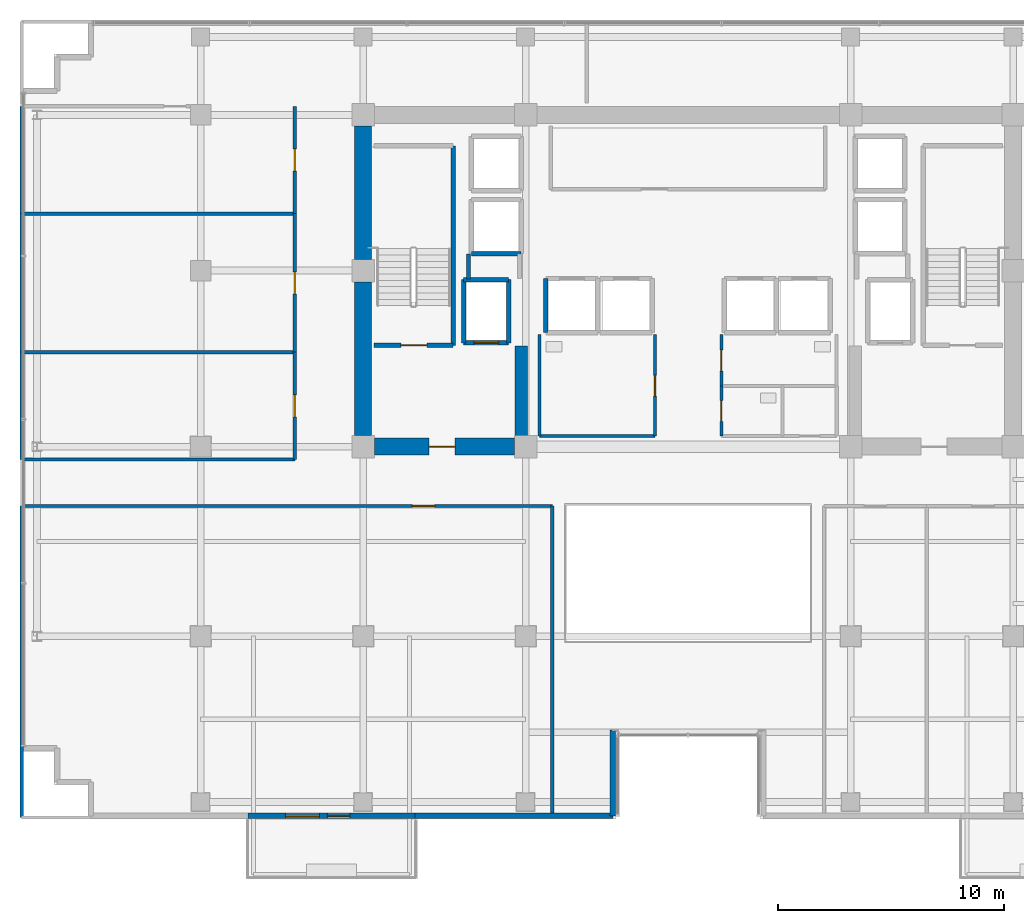
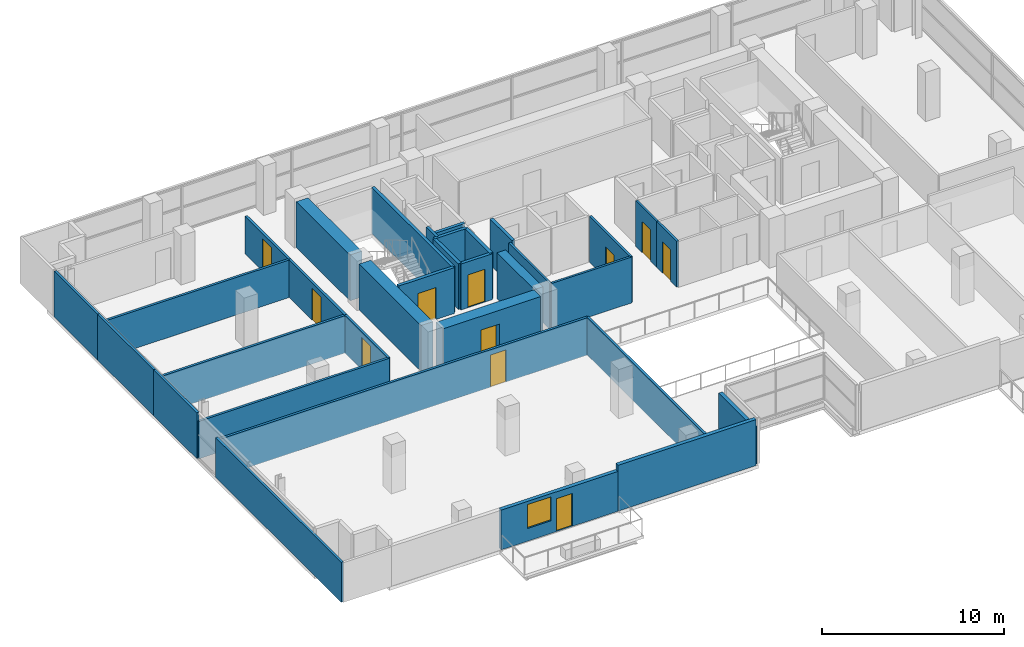
# One storey, part 19 of 27: 33 walls, 11 doors, 1 window, 12 openings.
"""IFC4 building model written with IfcOpenShell, lengths in metres."""

import ifcopenshell
import ifcopenshell.guid

model = None  # the IFC model being written
_history = None  # IfcOwnerHistory: only IFC2X3 demands one
_inside = {}  # id of a spatial element -> (the spatial element, [elements in it])
_under = {}  # id of a project, library or spatial element -> (it, [spatial elements below it])
_declared = {}  # id of a project -> (the project, [libraries it declares])
_typed = {}  # id of a type object -> (the type object, [elements of that type])
_made_of = {}  # id of a material, layer set ... -> (it, [elements and type objects made of it])


def new_model(schema):
    """Start an empty IFC model of exactly this schema.

    Asked for "IFC4X3", IfcOpenShell would pick the latest addendum, in which some entities
    have other attributes; the version numbers below select the first issue.
    IFC2X3 requires an IfcOwnerHistory on every rooted entity: one is made here for all.
    """
    global model, _history
    if schema == "IFC4X3":
        model = ifcopenshell.file(schema_version=(4, 3, 0, 0))
    else:
        model = ifcopenshell.file(schema=schema)
    _inside.clear()
    _under.clear()
    _declared.clear()
    _typed.clear()
    _made_of.clear()
    _history = None
    if model.schema == "IFC2X3":
        org = make("IfcOrganization", Name="unknown")
        user = make(
            "IfcPersonAndOrganization",
            ThePerson=make("IfcPerson", FamilyName="unknown"),
            TheOrganization=org,
        )
        app = make(
            "IfcApplication",
            ApplicationDeveloper=org,
            Version="unknown",
            ApplicationFullName="unknown",
            ApplicationIdentifier="unknown",
        )
        _history = make(
            "IfcOwnerHistory",
            OwningUser=user,
            OwningApplication=app,
            ChangeAction="ADDED",
            CreationDate=0,
        )
    return model


def make(cls, **values):
    """One entity of the class cls with the attributes given. An attribute that is None is left unset."""
    return model.create_entity(
        cls, **{name: value for name, value in values.items() if value is not None}
    )


def rooted(cls, **values):
    """An entity with a GlobalId (a new one), such as an element, a storey or a relation."""
    return make(cls, GlobalId=ifcopenshell.guid.new(), OwnerHistory=_history, **values)


def si_unit(unit_type, name, prefix=None):
    """IfcSIUnit, for example si_unit("LENGTHUNIT", "METRE", prefix="MILLI")."""
    return make("IfcSIUnit", UnitType=unit_type, Prefix=prefix, Name=name)


def assignment(units):
    """IfcUnitAssignment: the units of a project."""
    return None if units is None else make("IfcUnitAssignment", Units=units)


def point(xyz):
    """IfcCartesianPoint."""
    return None if xyz is None else make("IfcCartesianPoint", Coordinates=xyz)


def direction(xyz):
    """IfcDirection."""
    return None if xyz is None else make("IfcDirection", DirectionRatios=xyz)


def frame(location, z_axis=None, x_axis=None):
    """IfcAxis2Placement3D, a coordinate frame: its origin and axes. An axis left out is left unset."""
    return make(
        "IfcAxis2Placement3D",
        Location=point(location),
        Axis=direction(z_axis),
        RefDirection=direction(x_axis),
    )


def frame_2d(location, x_axis=None):
    """IfcAxis2Placement2D, a coordinate frame in the plane: its origin and x axis."""
    return make(
        "IfcAxis2Placement2D", Location=point(location), RefDirection=direction(x_axis)
    )


def origin():
    """The frame at (0, 0, 0) with its axes left unset."""
    return frame((0.0, 0.0, 0.0))


def place(relative_to, where):
    """IfcLocalPlacement: puts the frame where relative to a parent placement (None: the world)."""
    return make(
        "IfcLocalPlacement", PlacementRelTo=relative_to, RelativePlacement=where
    )


def context(
    kind, dimensions, precision=None, world=None, true_north=None, identifier=None
):
    """IfcGeometricRepresentationContext, for example the 3D "Model" context."""
    return make(
        "IfcGeometricRepresentationContext",
        ContextIdentifier=identifier,
        ContextType=kind,
        CoordinateSpaceDimension=dimensions,
        Precision=precision,
        WorldCoordinateSystem=world,
        TrueNorth=true_north,
    )


def subcontext(parent, identifier, kind, view, scale=None):
    """IfcGeometricRepresentationSubContext, for example "Body" below "Model"."""
    return make(
        "IfcGeometricRepresentationSubContext",
        ContextIdentifier=identifier,
        ContextType=kind,
        ParentContext=parent,
        TargetScale=scale,
        TargetView=view,
    )


def project(units=None, contexts=None):
    """IfcProject with its units and contexts."""
    return rooted(
        "IfcProject",
        Name="project",
        RepresentationContexts=contexts,
        UnitsInContext=assignment(units),
    )


def spatial(cls, under=None, at=None, **own):
    """A site, building, storey or space (cls), placed at a placement, below another one or the project."""
    s = rooted(cls, ObjectPlacement=at, **own)
    if under is not None:
        _under.setdefault(under.id(), (under, []))[1].append(s)
    return s


def profile(cls, at=None, kind="AREA", **sizes):
    """A parametric profile (cls). Its sizes go by their IFC names, for example OverallWidth=200.0."""
    return make(cls, ProfileType=kind, Position=at, **sizes)


def rectangle(**sizes):
    """IfcRectangleProfileDef."""
    return profile("IfcRectangleProfileDef", **sizes)


def extrude(swept, where, along, depth):
    """IfcExtrudedAreaSolid: the profile swept, set in the frame where, extruded along a direction by depth."""
    return make(
        "IfcExtrudedAreaSolid",
        SweptArea=swept,
        Position=where,
        ExtrudedDirection=direction(along),
        Depth=depth,
    )


def shape(context_of_items, identifier, shape_type, items):
    """IfcShapeRepresentation: the items that make up one representation, for example the "Body"."""
    return make(
        "IfcShapeRepresentation",
        ContextOfItems=context_of_items,
        RepresentationIdentifier=identifier,
        RepresentationType=shape_type,
        Items=items,
    )


def source(mapping_origin, context_of_items, identifier, shape_type, items):
    """IfcRepresentationMap: a shape defined once, which mapped items show again and again."""
    return make(
        "IfcRepresentationMap",
        MappingOrigin=mapping_origin,
        MappedRepresentation=shape(context_of_items, identifier, shape_type, items),
    )


def transform(
    local_origin,
    x_axis=None,
    y_axis=None,
    z_axis=None,
    scale=None,
    scale2=None,
    scale3=None,
    uniform=True,
):
    """IfcCartesianTransformationOperator3D, or its non-uniform kind. x_axis, y_axis, z_axis: its Axis1, 2, 3."""
    if uniform:
        return make(
            "IfcCartesianTransformationOperator3D",
            Axis1=direction(x_axis),
            Axis2=direction(y_axis),
            LocalOrigin=point(local_origin),
            Scale=scale,
            Axis3=direction(z_axis),
        )
    return make(
        "IfcCartesianTransformationOperator3DnonUniform",
        Axis1=direction(x_axis),
        Axis2=direction(y_axis),
        LocalOrigin=point(local_origin),
        Scale=scale,
        Axis3=direction(z_axis),
        Scale2=scale2,
        Scale3=scale3,
    )


def mapped(mapping_source, mapping_target):
    """IfcMappedItem: shows the shape of a source again, moved by a transform."""
    return make(
        "IfcMappedItem", MappingSource=mapping_source, MappingTarget=mapping_target
    )


def material(Name=None, Category=None):
    """IfcMaterial."""
    return make("IfcMaterial", Name=Name, Category=Category)


def layer(
    of_material, thickness, ventilated=None, Name=None, Category=None, Priority=None
):
    """IfcMaterialLayer: one layer of a wall or slab, of a material (None: an air gap)."""
    return make(
        "IfcMaterialLayer",
        Material=of_material,
        LayerThickness=thickness,
        IsVentilated=ventilated,
        Name=Name,
        Category=Category,
        Priority=Priority,
    )


def layer_set(layers, Name=None):
    """IfcMaterialLayerSet."""
    return make("IfcMaterialLayerSet", MaterialLayers=layers, LayerSetName=Name)


def made_of(thing, what):
    """Note that an element or type object is made of a material, layer set ...; save() writes the relation."""
    if what is not None:
        _made_of.setdefault(what.id(), (what, []))[1].append(thing)
    return thing


def type_object(cls, material=None, **own):
    """A type object (cls), such as IfcWallType, which elements share."""
    return made_of(rooted(cls, **own), material)


def element(
    cls,
    number,
    at=None,
    inside=None,
    cuts=None,
    type_object=None,
    material=None,
    context=None,
    identifier="Body",
    shape_type=None,
    held_by="IfcProductDefinitionShape",
    body=None,
    shapes=None,
    **own,
):
    """One element of the class cls, such as IfcWall. Its Tag is "e" and its number.

    at: its placement. inside: the storey or other place that contains it. cuts: it is an
    opening in that element (IfcRelVoidsElement). A single representation is given by context,
    identifier, shape_type and body (its items); several are given by shapes. held_by: the class
    of the entity that holds the representations. save() writes the other relations.
    """
    e = rooted(cls, Tag="e%d" % number, ObjectPlacement=at, **own)
    if body is not None:
        shapes = [shape(context, identifier, shape_type, body)]
    if shapes is not None:
        e.Representation = make(held_by, Representations=shapes)
    if inside is not None:
        _inside.setdefault(inside.id(), (inside, []))[1].append(e)
    if cuts is not None:
        rooted(
            "IfcRelVoidsElement", RelatingBuildingElement=cuts, RelatedOpeningElement=e
        )
    if type_object is not None:
        _typed.setdefault(type_object.id(), (type_object, []))[1].append(e)
    return made_of(e, material)


def fill(opening, filler):
    """IfcRelFillsElement: the door or window that sits in an opening."""
    return rooted(
        "IfcRelFillsElement",
        RelatingOpeningElement=opening,
        RelatedBuildingElement=filler,
    )


def aggregate(whole, parts):
    """IfcRelAggregates: a whole, such as a stair, and the parts it consists of."""
    return rooted("IfcRelAggregates", RelatingObject=whole, RelatedObjects=parts)


def save(model, path):
    """Write the relations noted so far, then the file.

    IfcRelAggregates (storeys below a building ...), IfcRelContainedInSpatialStructure (elements
    in a storey), IfcRelDefinesByType, IfcRelAssociatesMaterial and IfcRelDeclares: one each for
    every whole, place, type object, material and project.
    """
    for whole, parts in _under.values():
        aggregate(whole, parts)
    for where, things in _inside.values():
        rooted(
            "IfcRelContainedInSpatialStructure",
            RelatedElements=things,
            RelatingStructure=where,
        )
    for kind, things in _typed.values():
        rooted("IfcRelDefinesByType", RelatedObjects=things, RelatingType=kind)
    for what, things in _made_of.values():
        rooted("IfcRelAssociatesMaterial", RelatedObjects=things, RelatingMaterial=what)
    for by, libraries in _declared.values():
        rooted("IfcRelDeclares", RelatingContext=by, RelatedDefinitions=libraries)
    model.write(path)


model = new_model("IFC4")

# Units and contexts
model_context = context("Model", 3, precision=1e-05, world=origin(), true_north=direction((0.0, 1.0)))
body_context = subcontext(model_context, "Body", "Model", "MODEL_VIEW")
ifc_project = project(units=[si_unit("LENGTHUNIT", "METRE"), si_unit("AREAUNIT", "SQUARE_METRE"), si_unit("VOLUMEUNIT", "CUBIC_METRE"), si_unit("PLANEANGLEUNIT", "RADIAN"), si_unit("MASSUNIT", "GRAM", prefix="KILO")], contexts=[model_context])

# Site, building, storey
site_placement = place(None, origin())
site = spatial("IfcSite", under=ifc_project, at=site_placement, CompositionType="ELEMENT")
building_placement = place(site_placement, origin())
building = spatial("IfcBuilding", under=site, at=building_placement, Name="Zarnakvel Exchange Tower", CompositionType="ELEMENT")
storey_placement = place(building_placement, frame((0.0, 0.0, 106.60009765625)))
storey = spatial("IfcBuildingStorey", under=building, at=storey_placement, Name="L29", CompositionType="ELEMENT", Elevation=106.60009765625)

# Walls
ifc_material_1 = material(Name="Concrete C60/75", Category="concrete")
ifc_layer_1 = layer(ifc_material_1, 0.75)
ifc_layer_set_1 = layer_set([ifc_layer_1], Name="Concrete C60/75")
wall_type_1 = type_object("IfcWallType", Name="CW-C3", PredefinedType="SHEAR", material=ifc_layer_set_1)
wall_1_placement = place(storey_placement, frame((-14.39990234375, -0.699951171875, 0.0), z_axis=(0.0, 0.0, 1.0), x_axis=(0.0, 1.0, 0.0)))
element("IfcWall", 1, at=wall_1_placement, inside=storey, type_object=wall_type_1, Name="L29 Rear Core Shear Wall W1 (CW-C3)", PredefinedType="SHEAR", context=body_context, shape_type="SweptSolid", body=[
    extrude(rectangle(XDim=6.800048828125, YDim=0.75, at=frame_2d((3.39990234375, 0.0))), origin(), (0.0, 0.0, 1.0), 3.074951171875),
])
wall_2_placement = place(storey_placement, frame((-14.39990234375, 7.10009765625, 0.0), z_axis=(0.0, 0.0, 1.0), x_axis=(0.0, 1.0, 0.0)))
element("IfcWall", 2, at=wall_2_placement, inside=storey, type_object=wall_type_1, Name="L29 Rear Core Shear Wall W2 (CW-C3)", PredefinedType="SHEAR", context=body_context, shape_type="SweptSolid", body=[
    extrude(rectangle(XDim=5.89990234375, YDim=0.75, at=frame_2d((2.949951171875, 0.0))), origin(), (0.0, 0.0, 1.0), 3.074951171875),
])

# Wall, opening, door
wall_3_placement = place(storey_placement, frame((-7.699951171875, -1.199951171875, 0.0), z_axis=(0.0, 0.0, 1.0), x_axis=(-1.0, 0.0, 0.0)))
wall_3 = element("IfcWall", 3, at=wall_3_placement, inside=storey, type_object=wall_type_1, Name="L29 Rear Core Shear Wall SW (CW-C3)", PredefinedType="SHEAR", context=body_context, shape_type="SweptSolid", body=[
    extrude(rectangle(XDim=6.199951171875, YDim=0.75, at=frame_2d((3.10009765625, 0.0))), origin(), (0.0, 0.0, 1.0), 3.074951171875),
])
opening_1_placement = place(wall_3_placement, frame((2.625, 0.0, 0.0)))
opening_1 = element("IfcOpeningElement", 4, at=opening_1_placement, cuts=wall_3, Name="Opening D-L29-03", PredefinedType="OPENING", context=body_context, shape_type="SweptSolid", body=[
    extrude(rectangle(XDim=1.14990234375, YDim=2.14990234375, at=frame_2d((0.574951171875, 1.074951171875))), frame((0.0, 0.385009765625, 0.0), z_axis=(0.0, -1.0, 0.0), x_axis=(1.0, 0.0, 0.0)), (0.0, 0.0, 1.0), 0.77001953125),
])
ifc_material_2 = material(Name="Painted Galvanised Steel S355", Category="steel")
door_type_1 = type_object("IfcDoorType", Name="DT-04", OperationType="NOTDEFINED", PredefinedType="DOOR", material=ifc_material_2)
shared_shape_1 = source(origin(), body_context, "Body", "SweptSolid", [
    extrude(rectangle(XDim=1.14990234375, YDim=2.14990234375, at=frame_2d((0.574951171875, 1.074951171875))), frame((0.0, 0.02490234375, 0.0), z_axis=(0.0, -1.0, 0.0), x_axis=(1.0, 0.0, 0.0)), (0.0, 0.0, 1.0), 0.050048828125),
])
door_1_placement = place(opening_1_placement, origin())
door_1 = element("IfcDoor", 5, at=door_1_placement, inside=storey, type_object=door_type_1, Name="L29 Firefighting Lobby West Door D-L29-03", OperationType="SINGLE_SWING_LEFT", OverallHeight=2.14990234375, OverallWidth=1.14990234375, PredefinedType="DOOR", context=body_context, shape_type="MappedRepresentation", body=[
    mapped(shared_shape_1, transform((0.0, 0.0, 0.0), x_axis=(1.0, 0.0, 0.0), y_axis=(0.0, 1.0, 0.0), z_axis=(0.0, 0.0, 1.0), scale=1.0)),
])
fill(opening_1, door_1)

# Wall
ifc_layer_2 = layer(ifc_material_1, 0.550048828125)
ifc_layer_set_2 = layer_set([ifc_layer_2], Name="Concrete C60/75")
wall_type_2 = type_object("IfcWallType", Name="CW-C4", PredefinedType="SHEAR", material=ifc_layer_set_2)
wall_4_placement = place(storey_placement, frame((-7.39990234375, -0.824951171875, 0.0), z_axis=(0.0, 0.0, 1.0), x_axis=(0.0, 1.0, 0.0)))
element("IfcWall", 6, at=wall_4_placement, inside=storey, type_object=wall_type_2, Name="L29 Rear Core Shear Wall IW (CW-C4)", PredefinedType="SHEAR", context=body_context, shape_type="SweptSolid", body=[
    extrude(rectangle(XDim=4.074951171875, YDim=0.550048828125, at=frame_2d((2.03759765625, 0.0))), origin(), (0.0, 0.0, 1.0), 3.074951171875),
])

# Wall, openings, door, window
ifc_material_3 = material(Name="Precast concrete C40/50", Category="concrete")
ifc_layer_3 = layer(ifc_material_3, 0.239990234375)
ifc_layer_set_3 = layer_set([ifc_layer_3], Name="Precast concrete C40/50")
wall_type_3 = type_object("IfcWallType", Name="EW-02", PredefinedType="SOLIDWALL", material=ifc_layer_set_3)
wall_5_placement = place(storey_placement, frame((-12.10009765625, -17.56005859375, 0.0), z_axis=(0.0, 0.0, 1.0), x_axis=(-1.0, 0.0, 0.0)))
wall_5 = element("IfcWall", 7, at=wall_5_placement, inside=storey, type_object=wall_type_3, Name="L29 Exterior Precast Spandrel Wall EW-BAL-L29-SW (EW-02)", PredefinedType="SOLIDWALL", context=body_context, shape_type="SweptSolid", body=[
    extrude(rectangle(XDim=7.39990234375, YDim=0.239990234375, at=frame_2d((3.699951171875, 0.0))), origin(), (0.0, 0.0, 1.0), 2.664794921875),
])
opening_2_placement = place(wall_5_placement, frame((2.885986328125, 0.0, 0.0)))
opening_2 = element("IfcOpeningElement", 8, at=opening_2_placement, cuts=wall_5, Name="Opening BD-L29-01", PredefinedType="OPENING", context=body_context, shape_type="SweptSolid", body=[
    extrude(rectangle(XDim=1.0, YDim=2.199951171875, at=frame_2d((0.5, 1.10009765625))), frame((0.0, 0.1298828125, 0.0), z_axis=(0.0, -1.0, 0.0), x_axis=(1.0, 0.0, 0.0)), (0.0, 0.0, 1.0), 0.260009765625),
])
opening_3_placement = place(wall_5_placement, frame((4.236083984375, 0.0, 0.85009765625)))
opening_3 = element("IfcOpeningElement", 9, at=opening_3_placement, cuts=wall_5, Name="Opening WN-03", PredefinedType="OPENING", context=body_context, shape_type="SweptSolid", body=[
    extrude(rectangle(XDim=1.5, YDim=1.60009765625, at=frame_2d((0.75, 0.800048828125))), frame((0.0, 0.1298828125, 0.0), z_axis=(0.0, -1.0, 0.0), x_axis=(1.0, 0.0, 0.0)), (0.0, 0.0, 1.0), 0.260009765625),
])
ifc_material_4 = material(Name="Architectural Bronze Anodised Aluminium", Category="aluminium")
door_type_2 = type_object("IfcDoorType", Name="DT-09", OperationType="NOTDEFINED", PredefinedType="DOOR", material=ifc_material_4)
shared_shape_2 = source(origin(), body_context, "Body", "SweptSolid", [
    extrude(rectangle(XDim=1.0, YDim=2.199951171875, at=frame_2d((0.5, 1.10009765625))), frame((0.0, 0.02490234375, 0.0), z_axis=(0.0, -1.0, 0.0), x_axis=(1.0, 0.0, 0.0)), (0.0, 0.0, 1.0), 0.050048828125),
])
door_2_placement = place(opening_2_placement, origin())
door_2 = element("IfcDoor", 10, at=door_2_placement, inside=storey, type_object=door_type_2, Name="L29 Planted Loggia Balcony Door BD-L29-01", OperationType="SINGLE_SWING_LEFT", OverallHeight=2.199951171875, OverallWidth=1.0, PredefinedType="DOOR", context=body_context, shape_type="MappedRepresentation", body=[
    mapped(shared_shape_2, transform((0.0, 0.0, 0.0), x_axis=(1.0, 0.0, 0.0), y_axis=(0.0, 1.0, 0.0), z_axis=(0.0, 0.0, 1.0), scale=1.0)),
])
fill(opening_2, door_2)
ifc_material_5 = material(Name="Double Low-E Laminated Vision Glass", Category="glass")
window_type = type_object("IfcWindowType", Name="WN-03", PartitioningType="SINGLE_PANEL", PredefinedType="WINDOW", material=ifc_material_5)
shared_shape_3 = source(origin(), body_context, "Body", "SweptSolid", [
    extrude(rectangle(XDim=1.5, YDim=1.60009765625, at=frame_2d((0.75, 0.800048828125))), frame((0.0, 0.030029296875, 0.0), z_axis=(0.0, -1.0, 0.0), x_axis=(1.0, 0.0, 0.0)), (0.0, 0.0, 1.0), 0.06005859375),
])
window_placement = place(opening_3_placement, origin())
window = element("IfcWindow", 11, at=window_placement, inside=storey, type_object=window_type, Name="L29 Loggia Daylight Window (WN-03)", OverallHeight=1.60009765625, OverallWidth=1.5, PartitioningType="SINGLE_PANEL", PredefinedType="WINDOW", context=body_context, shape_type="MappedRepresentation", body=[
    mapped(shared_shape_3, transform((0.0, 0.0, 0.0), x_axis=(1.0, 0.0, 0.0), y_axis=(0.0, 1.0, 0.0), z_axis=(0.0, 0.0, 1.0), scale=1.0)),
])
fill(opening_3, window)

# Walls
wall_6_placement = place(storey_placement, frame((-3.340087890625, -17.56005859375, 0.0), z_axis=(0.0, 0.0, 1.0), x_axis=(0.0, 1.0, 0.0)))
element("IfcWall", 12, at=wall_6_placement, inside=storey, type_object=wall_type_3, Name="L29 Exterior Precast Spandrel Wall EWC-L29-20 (EW-02)", PredefinedType="SOLIDWALL", context=body_context, shape_type="SweptSolid", body=[
    extrude(rectangle(XDim=3.800048828125, YDim=0.239990234375, at=frame_2d((1.89990234375, 0.0))), origin(), (0.0, 0.0, 1.0), 2.514892578125),
])
wall_7_placement = place(storey_placement, frame((-12.10009765625, -17.56005859375, 0.0), z_axis=(0.0, 0.0, 1.0), x_axis=(1.0, 0.0, 0.0)))
element("IfcWall", 13, at=wall_7_placement, inside=storey, type_object=wall_type_3, Name="L29 Exterior Precast Spandrel Wall EWC-L29-21 (EW-02)", PredefinedType="SOLIDWALL", context=body_context, shape_type="SweptSolid", body=[
    extrude(rectangle(XDim=8.760009765625, YDim=0.239990234375, at=frame_2d((4.3798828125, 0.0))), origin(), (0.0, 0.0, 1.0), 3.074951171875),
])

# Wall, opening, door
ifc_material_6 = material(Name="Fire-Rated Gypsum Stud Partition", Category="gypsum")
ifc_layer_4 = layer(ifc_material_6, 0.14990234375)
ifc_layer_set_4 = layer_set([ifc_layer_4], Name="Fire-Rated Gypsum Stud Partition")
wall_type_4 = type_object("IfcWallType", Name="PT-01", PredefinedType="PARTITIONING", material=ifc_layer_set_4)
wall_8_placement = place(storey_placement, frame((-29.530029296875, -3.830078125, 0.0), z_axis=(0.0, 0.0, 1.0), x_axis=(1.0, 0.0, 0.0)))
wall_8 = element("IfcWall", 14, at=wall_8_placement, inside=storey, type_object=wall_type_4, Name="L29 Partition Wall PWALL-L29-026 (PT-01)", PredefinedType="PARTITIONING", context=body_context, shape_type="SweptSolid", body=[
    extrude(rectangle(XDim=23.510009765625, YDim=0.14990234375, at=frame_2d((11.7548828125, 0.0))), origin(), (0.0, 0.0, 1.0), 2.514892578125),
])
opening_4_placement = place(wall_8_placement, frame((17.31494140625, 0.0, 0.0)))
opening_4 = element("IfcOpeningElement", 15, at=opening_4_placement, cuts=wall_8, Name="Opening D-L29-10", PredefinedType="OPENING", context=body_context, shape_type="SweptSolid", body=[
    extrude(rectangle(XDim=0.97998046875, YDim=2.14990234375, at=frame_2d((0.489990234375, 1.074951171875))), frame((0.0, 0.0849609375, 0.0), z_axis=(0.0, -1.0, 0.0), x_axis=(1.0, 0.0, 0.0)), (0.0, 0.0, 1.0), 0.169921875),
])
ifc_material_7 = material(Name="Timber Acoustic Veneer", Category="wood")
door_type_3 = type_object("IfcDoorType", Name="DT-05", OperationType="NOTDEFINED", PredefinedType="DOOR", material=ifc_material_7)
shared_shape_4 = source(origin(), body_context, "Body", "SweptSolid", [
    extrude(rectangle(XDim=0.97998046875, YDim=2.14990234375, at=frame_2d((0.489990234375, 1.074951171875))), frame((0.0, 0.02490234375, 0.0), z_axis=(0.0, -1.0, 0.0), x_axis=(1.0, 0.0, 0.0)), (0.0, 0.0, 1.0), 0.050048828125),
])
door_3_placement = place(opening_4_placement, origin())
door_3 = element("IfcDoor", 16, at=door_3_placement, inside=storey, type_object=door_type_3, Name="L29 Derivatives Trading Hall Door D-L29-10", OperationType="SINGLE_SWING_RIGHT", OverallHeight=2.14990234375, OverallWidth=0.97998046875, PredefinedType="DOOR", context=body_context, shape_type="MappedRepresentation", body=[
    mapped(shared_shape_4, transform((0.0, 0.0, 0.0), x_axis=(1.0, 0.0, 0.0), y_axis=(0.0, 1.0, 0.0), z_axis=(0.0, 0.0, 1.0), scale=1.0)),
])
fill(opening_4, door_3)

# Walls
wall_9_placement = place(storey_placement, frame((-29.530029296875, -17.6298828125, 0.0), z_axis=(0.0, 0.0, 1.0), x_axis=(0.0, 1.0, 0.0)))
element("IfcWall", 17, at=wall_9_placement, inside=storey, type_object=wall_type_4, Name="L29 Partition Wall PWALL-L29-027 (PT-01)", PredefinedType="PARTITIONING", context=body_context, shape_type="SweptSolid", body=[
    extrude(rectangle(XDim=13.7998046875, YDim=0.14990234375, at=frame_2d((6.89990234375, 0.0))), origin(), (0.0, 0.0, 1.0), 2.664794921875),
])
wall_10_placement = place(storey_placement, frame((-6.02001953125, -3.830078125, 0.0), z_axis=(0.0, 0.0, 1.0), x_axis=(0.0, -1.0, 0.0)))
element("IfcWall", 18, at=wall_10_placement, inside=storey, type_object=wall_type_4, Name="L29 Partition Wall PWALL-L29-028 (PT-01)", PredefinedType="PARTITIONING", context=body_context, shape_type="SweptSolid", body=[
    extrude(rectangle(XDim=13.7998046875, YDim=0.14990234375, at=frame_2d((6.89990234375, 0.0))), origin(), (0.0, 0.0, 1.0), 2.514892578125),
])
for number, where, z_axis, x_axis, name in (
    (19, (-17.429931640625, -1.77001953125, 0.0), (0.0, 0.0, 1.0), (-1.0, 0.0, 0.0), "L29 Partition Wall PWALL-L29-039 (PT-01)"),
    (20, (-29.530029296875, 2.987060546875, 0.0), (0.0, 0.0, 1.0), (1.0, 0.0, 0.0), "L29 Partition Wall PWALL-L29-040 (PT-01)"),
):
    element("IfcWall", number, at=place(storey_placement, frame(where, z_axis=z_axis, x_axis=x_axis)), inside=storey, type_object=wall_type_4, Name=name, PredefinedType="PARTITIONING", context=body_context, shape_type="SweptSolid", body=[
        extrude(rectangle(XDim=12.10009765625, YDim=0.14990234375, at=frame_2d((6.050048828125, 0.0))), origin(), (0.0, 0.0, 1.0), 2.514892578125),
    ])
wall_11_placement = place(storey_placement, frame((-29.530029296875, -1.77001953125, 0.0), z_axis=(0.0, 0.0, 1.0), x_axis=(0.0, 1.0, 0.0)))
element("IfcWall", 21, at=wall_11_placement, inside=storey, type_object=wall_type_4, Name="L29 Partition Wall PWALL-L29-041 (PT-01)", PredefinedType="PARTITIONING", context=body_context, shape_type="SweptSolid", body=[
    extrude(rectangle(XDim=4.757080078125, YDim=0.14990234375, at=frame_2d((2.37841796875, 0.0))), origin(), (0.0, 0.0, 1.0), 3.074951171875),
])

# Wall, opening, door
wall_12_placement = place(storey_placement, frame((-17.429931640625, 2.987060546875, 0.0), z_axis=(0.0, 0.0, 1.0), x_axis=(0.0, -1.0, 0.0)))
wall_12 = element("IfcWall", 22, at=wall_12_placement, inside=storey, type_object=wall_type_4, Name="L29 Partition Wall PWALL-L29-042 (PT-01)", PredefinedType="PARTITIONING", context=body_context, shape_type="SweptSolid", body=[
    extrude(rectangle(XDim=4.757080078125, YDim=0.14990234375, at=frame_2d((2.37841796875, 0.0))), origin(), (0.0, 0.0, 1.0), 2.514892578125),
])
opening_5_placement = place(wall_12_placement, frame((1.887939453125, 0.0, 0.0)))
opening_5 = element("IfcOpeningElement", 23, at=opening_5_placement, cuts=wall_12, Name="Opening D-L29-14", PredefinedType="OPENING", context=body_context, shape_type="SweptSolid", body=[
    extrude(rectangle(XDim=0.97998046875, YDim=2.14990234375, at=frame_2d((0.489990234375, 1.074951171875))), frame((0.0, 0.0849609375, 0.0), z_axis=(0.0, -1.0, 0.0), x_axis=(1.0, 0.0, 0.0)), (0.0, 0.0, 1.0), 0.169921875),
])
door_4_placement = place(opening_5_placement, origin())
door_4 = element("IfcDoor", 24, at=door_4_placement, inside=storey, type_object=door_type_3, Name="L29 Executive Suite Door D-L29-14", OperationType="SINGLE_SWING_RIGHT", OverallHeight=2.14990234375, OverallWidth=0.97998046875, PredefinedType="DOOR", context=body_context, shape_type="MappedRepresentation", body=[
    mapped(shared_shape_4, transform((0.0, 0.0, 0.0), x_axis=(1.0, 0.0, 0.0), y_axis=(0.0, 1.0, 0.0), z_axis=(0.0, 0.0, 1.0), scale=1.0)),
])
fill(opening_5, door_4)

# Walls
wall_13_placement = place(storey_placement, frame((-29.530029296875, 9.123046875, 0.0), z_axis=(0.0, 0.0, 1.0), x_axis=(1.0, 0.0, 0.0)))
element("IfcWall", 25, at=wall_13_placement, inside=storey, type_object=wall_type_4, Name="L29 Partition Wall PWALL-L29-043 (PT-01)", PredefinedType="PARTITIONING", context=body_context, shape_type="SweptSolid", body=[
    extrude(rectangle(XDim=12.10009765625, YDim=0.14990234375, at=frame_2d((6.050048828125, 0.0))), origin(), (0.0, 0.0, 1.0), 2.514892578125),
])
wall_14_placement = place(storey_placement, frame((-29.530029296875, 2.987060546875, 0.0), z_axis=(0.0, 0.0, 1.0), x_axis=(0.0, 1.0, 0.0)))
element("IfcWall", 26, at=wall_14_placement, inside=storey, type_object=wall_type_4, Name="L29 Partition Wall PWALL-L29-044 (PT-01)", PredefinedType="PARTITIONING", context=body_context, shape_type="SweptSolid", body=[
    extrude(rectangle(XDim=6.135986328125, YDim=0.14990234375, at=frame_2d((3.06787109375, 0.0))), origin(), (0.0, 0.0, 1.0), 3.074951171875),
])

# Wall, opening, door
wall_15_placement = place(storey_placement, frame((-17.429931640625, 9.123046875, 0.0), z_axis=(0.0, 0.0, 1.0), x_axis=(0.0, -1.0, 0.0)))
wall_15 = element("IfcWall", 27, at=wall_15_placement, inside=storey, type_object=wall_type_4, Name="L29 Partition Wall PWALL-L29-045 (PT-01)", PredefinedType="PARTITIONING", context=body_context, shape_type="SweptSolid", body=[
    extrude(rectangle(XDim=6.135986328125, YDim=0.14990234375, at=frame_2d((3.06787109375, 0.0))), origin(), (0.0, 0.0, 1.0), 2.514892578125),
])
opening_6_placement = place(wall_15_placement, frame((2.578125, 0.0, 0.0)))
opening_6 = element("IfcOpeningElement", 28, at=opening_6_placement, cuts=wall_15, Name="Opening D-L29-15", PredefinedType="OPENING", context=body_context, shape_type="SweptSolid", body=[
    extrude(rectangle(XDim=0.97998046875, YDim=2.14990234375, at=frame_2d((0.489990234375, 1.074951171875))), frame((0.0, 0.0849609375, 0.0), z_axis=(0.0, -1.0, 0.0), x_axis=(1.0, 0.0, 0.0)), (0.0, 0.0, 1.0), 0.169921875),
])
door_5_placement = place(opening_6_placement, origin())
door_5 = element("IfcDoor", 29, at=door_5_placement, inside=storey, type_object=door_type_3, Name="L29 Staff Pantry Door D-L29-15", OperationType="SINGLE_SWING_LEFT", OverallHeight=2.14990234375, OverallWidth=0.97998046875, PredefinedType="DOOR", context=body_context, shape_type="MappedRepresentation", body=[
    mapped(shared_shape_4, transform((0.0, 0.0, 0.0), x_axis=(1.0, 0.0, 0.0), y_axis=(0.0, 1.0, 0.0), z_axis=(0.0, 0.0, 1.0), scale=1.0)),
])
fill(opening_6, door_5)

# Wall
wall_16_placement = place(storey_placement, frame((-29.530029296875, 9.123046875, 0.0), z_axis=(0.0, 0.0, 1.0), x_axis=(0.0, 1.0, 0.0)))
element("IfcWall", 30, at=wall_16_placement, inside=storey, type_object=wall_type_4, Name="L29 Partition Wall PWALL-L29-047 (PT-01)", PredefinedType="PARTITIONING", context=body_context, shape_type="SweptSolid", body=[
    extrude(rectangle(XDim=4.7568359375, YDim=0.14990234375, at=frame_2d((2.37841796875, 0.0))), origin(), (0.0, 0.0, 1.0), 3.074951171875),
])

# Wall, opening, door
wall_17_placement = place(storey_placement, frame((-17.429931640625, 13.8798828125, 0.0), z_axis=(0.0, 0.0, 1.0), x_axis=(0.0, -1.0, 0.0)))
wall_17 = element("IfcWall", 31, at=wall_17_placement, inside=storey, type_object=wall_type_4, Name="L29 Partition Wall PWALL-L29-048 (PT-01)", PredefinedType="PARTITIONING", context=body_context, shape_type="SweptSolid", body=[
    extrude(rectangle(XDim=4.7568359375, YDim=0.14990234375, at=frame_2d((2.37841796875, 0.0))), origin(), (0.0, 0.0, 1.0), 2.514892578125),
])
opening_7_placement = place(wall_17_placement, frame((1.887939453125, 0.0, 0.0)))
opening_7 = element("IfcOpeningElement", 32, at=opening_7_placement, cuts=wall_17, Name="Opening D-L29-16", PredefinedType="OPENING", context=body_context, shape_type="SweptSolid", body=[
    extrude(rectangle(XDim=0.97998046875, YDim=2.14990234375, at=frame_2d((0.489990234375, 1.074951171875))), frame((0.0, 0.0849609375, 0.0), z_axis=(0.0, -1.0, 0.0), x_axis=(1.0, 0.0, 0.0)), (0.0, 0.0, 1.0), 0.169921875),
])
door_6_placement = place(opening_7_placement, origin())
door_6 = element("IfcDoor", 33, at=door_6_placement, inside=storey, type_object=door_type_3, Name="L29 Compliance Office Door D-L29-16", OperationType="SINGLE_SWING_RIGHT", OverallHeight=2.14990234375, OverallWidth=0.97998046875, PredefinedType="DOOR", context=body_context, shape_type="MappedRepresentation", body=[
    mapped(shared_shape_4, transform((0.0, 0.0, 0.0), x_axis=(1.0, 0.0, 0.0), y_axis=(0.0, 1.0, 0.0), z_axis=(0.0, 0.0, 1.0), scale=1.0)),
])
fill(opening_7, door_6)

# Walls
ifc_layer_5 = layer(ifc_material_6, 0.179931640625)
ifc_layer_set_5 = layer_set([ifc_layer_5], Name="Fire-Rated Gypsum Stud Partition")
wall_type_5 = type_object("IfcWallType", Name="PT-02", PredefinedType="PARTITIONING", material=ifc_layer_set_5)
wall_18_placement = place(storey_placement, frame((-9.72998046875, 6.239990234375, 0.0), z_axis=(0.0, 0.0, 1.0), x_axis=(0.0, 1.0, 0.0)))
element("IfcWall", 34, at=wall_18_placement, inside=storey, type_object=wall_type_5, Name="L29 Partition Wall PWALL-L29-007 (PT-02)", PredefinedType="PARTITIONING", context=body_context, shape_type="SweptSolid", body=[
    extrude(rectangle(XDim=1.090087890625, YDim=0.179931640625, at=frame_2d((0.544921875, 0.0))), origin(), (0.0, 0.0, 1.0), 3.074951171875),
])
ifc_material_8 = material(Name="Moisture-Resistant Tile-Faced Partition", Category="gypsum")
ifc_layer_6 = layer(ifc_material_8, 0.135009765625)
ifc_layer_set_6 = layer_set([ifc_layer_6], Name="Moisture-Resistant Tile-Faced Partition")
wall_type_6 = type_object("IfcWallType", Name="PT-03", PredefinedType="PARTITIONING", material=ifc_layer_set_6)
wall_19_placement = place(storey_placement, frame((-1.469970703125, -0.72998046875, 0.0), z_axis=(0.0, 0.0, 1.0), x_axis=(-1.0, 0.0, 0.0)))
element("IfcWall", 35, at=wall_19_placement, inside=storey, type_object=wall_type_6, Name="L29 Partition Wall PWALL-L29-014 (PT-03)", PredefinedType="PARTITIONING", context=body_context, shape_type="SweptSolid", body=[
    extrude(rectangle(XDim=5.110107421875, YDim=0.135009765625, at=frame_2d((2.55517578125, 0.0))), origin(), (0.0, 0.0, 1.0), 3.074951171875),
])
wall_20_placement = place(storey_placement, frame((-6.580078125, -0.72998046875, 0.0), z_axis=(0.0, 0.0, 1.0), x_axis=(0.0, 1.0, 0.0)))
element("IfcWall", 36, at=wall_20_placement, inside=storey, type_object=wall_type_6, Name="L29 Partition Wall PWALL-L29-015 (PT-03)", PredefinedType="PARTITIONING", context=body_context, shape_type="SweptSolid", body=[
    extrude(rectangle(XDim=4.489990234375, YDim=0.135009765625, at=frame_2d((2.2451171875, 0.0))), origin(), (0.0, 0.0, 1.0), 3.074951171875),
])

# Wall, opening, door
wall_21_placement = place(storey_placement, frame((-1.469970703125, 3.760009765625, 0.0), z_axis=(0.0, 0.0, 1.0), x_axis=(0.0, -1.0, 0.0)))
wall_21 = element("IfcWall", 37, at=wall_21_placement, inside=storey, type_object=wall_type_6, Name="L29 Partition Wall PWALL-L29-016 (PT-03)", PredefinedType="PARTITIONING", context=body_context, shape_type="SweptSolid", body=[
    extrude(rectangle(XDim=4.489990234375, YDim=0.135009765625, at=frame_2d((2.2451171875, 0.0))), origin(), (0.0, 0.0, 1.0), 3.074951171875),
])
opening_8_placement = place(wall_21_placement, frame((1.800048828125, 0.0, 0.0)))
opening_8 = element("IfcOpeningElement", 38, at=opening_8_placement, cuts=wall_21, Name="Opening D-L29-06", PredefinedType="OPENING", context=body_context, shape_type="SweptSolid", body=[
    extrude(rectangle(XDim=0.919921875, YDim=2.10009765625, at=frame_2d((0.4599609375, 1.050048828125))), frame((0.0, 0.077392578125, 0.0), z_axis=(0.0, -1.0, 0.0), x_axis=(1.0, 0.0, 0.0)), (0.0, 0.0, 1.0), 0.155029296875),
])
ifc_material_9 = material(Name="Moisture-Resistant Laminate Timber", Category="wood")
door_type_4 = type_object("IfcDoorType", Name="DT-07", OperationType="NOTDEFINED", PredefinedType="DOOR", material=ifc_material_9)
shared_shape_5 = source(origin(), body_context, "Body", "SweptSolid", [
    extrude(rectangle(XDim=0.919921875, YDim=2.10009765625, at=frame_2d((0.4599609375, 1.050048828125))), frame((0.0, 0.02490234375, 0.0), z_axis=(0.0, -1.0, 0.0), x_axis=(1.0, 0.0, 0.0)), (0.0, 0.0, 1.0), 0.050048828125),
])
door_7_placement = place(opening_8_placement, origin())
door_7 = element("IfcDoor", 39, at=door_7_placement, inside=storey, type_object=door_type_4, Name="L29 Male Toilet Door D-L29-06", OperationType="SINGLE_SWING_RIGHT", OverallHeight=2.10009765625, OverallWidth=0.919921875, PredefinedType="DOOR", context=body_context, shape_type="MappedRepresentation", body=[
    mapped(shared_shape_5, transform((0.0, 0.0, 0.0), x_axis=(1.0, 0.0, 0.0), y_axis=(0.0, 1.0, 0.0), z_axis=(0.0, 0.0, 1.0), scale=1.0)),
])
fill(opening_8, door_7)

wall_22_placement = place(storey_placement, frame((1.469970703125, 1.47998046875, 0.0), z_axis=(0.0, 0.0, 1.0), x_axis=(0.0, 1.0, 0.0)))
wall_22 = element("IfcWall", 40, at=wall_22_placement, inside=storey, type_object=wall_type_6, Name="L29 Partition Wall PWALL-L29-018 (PT-03)", PredefinedType="PARTITIONING", context=body_context, shape_type="SweptSolid", body=[
    extrude(rectangle(XDim=2.280029296875, YDim=0.135009765625, at=frame_2d((1.14013671875, 0.0))), origin(), (0.0, 0.0, 1.0), 3.074951171875),
])
opening_9_placement = place(wall_22_placement, frame((0.679931640625, 0.0, 0.0)))
opening_9 = element("IfcOpeningElement", 41, at=opening_9_placement, cuts=wall_22, Name="Opening D-L29-07", PredefinedType="OPENING", context=body_context, shape_type="SweptSolid", body=[
    extrude(rectangle(XDim=0.919921875, YDim=2.10009765625, at=frame_2d((0.4599609375, 1.050048828125))), frame((0.0, 0.077392578125, 0.0), z_axis=(0.0, -1.0, 0.0), x_axis=(1.0, 0.0, 0.0)), (0.0, 0.0, 1.0), 0.155029296875),
])
door_8_placement = place(opening_9_placement, origin())
door_8 = element("IfcDoor", 42, at=door_8_placement, inside=storey, type_object=door_type_4, Name="L29 Female Toilet Door D-L29-07", OperationType="SINGLE_SWING_LEFT", OverallHeight=2.10009765625, OverallWidth=0.919921875, PredefinedType="DOOR", context=body_context, shape_type="MappedRepresentation", body=[
    mapped(shared_shape_5, transform((0.0, 0.0, 0.0), x_axis=(1.0, 0.0, 0.0), y_axis=(0.0, 1.0, 0.0), z_axis=(0.0, 0.0, 1.0), scale=1.0)),
])
fill(opening_9, door_8)

wall_23_placement = place(storey_placement, frame((1.469970703125, -0.72998046875, 0.0), z_axis=(0.0, 0.0, 1.0), x_axis=(0.0, 1.0, 0.0)))
wall_23 = element("IfcWall", 43, at=wall_23_placement, inside=storey, type_object=wall_type_6, Name="L29 Partition Wall PWALL-L29-021 (PT-03)", PredefinedType="PARTITIONING", context=body_context, shape_type="SweptSolid", body=[
    extrude(rectangle(XDim=2.2099609375, YDim=0.135009765625, at=frame_2d((1.10498046875, 0.0))), origin(), (0.0, 0.0, 1.0), 3.074951171875),
])
opening_10_placement = place(wall_23_placement, frame((0.64990234375, 0.0, 0.0)))
opening_10 = element("IfcOpeningElement", 44, at=opening_10_placement, cuts=wall_23, Name="Opening D-L29-08", PredefinedType="OPENING", context=body_context, shape_type="SweptSolid", body=[
    extrude(rectangle(XDim=0.919921875, YDim=2.10009765625, at=frame_2d((0.4599609375, 1.050048828125))), frame((0.0, 0.077392578125, 0.0), z_axis=(0.0, -1.0, 0.0), x_axis=(1.0, 0.0, 0.0)), (0.0, 0.0, 1.0), 0.155029296875),
])
door_9_placement = place(opening_10_placement, origin())
door_9 = element("IfcDoor", 45, at=door_9_placement, inside=storey, type_object=door_type_4, Name="L29 Accessible Toilet Door D-L29-08", OperationType="SINGLE_SWING_RIGHT", OverallHeight=2.10009765625, OverallWidth=0.919921875, PredefinedType="DOOR", context=body_context, shape_type="MappedRepresentation", body=[
    mapped(shared_shape_5, transform((0.0, 0.0, 0.0), x_axis=(1.0, 0.0, 0.0), y_axis=(0.0, 1.0, 0.0), z_axis=(0.0, 0.0, 1.0), scale=1.0)),
])
fill(opening_10, door_9)

ifc_material_10 = material(Name="Concrete C40/50", Category="concrete")
ifc_layer_7 = layer(ifc_material_10, 0.199951171875)
ifc_layer_set_7 = layer_set([ifc_layer_7], Name="Concrete C40/50")
wall_type_7 = type_object("IfcWallType", Name="SW-01", PredefinedType="SOLIDWALL", material=ifc_layer_set_7)
wall_24_placement = place(storey_placement, frame((-7.949951171875, 3.39990234375, 0.0), z_axis=(0.0, 0.0, 1.0), x_axis=(-1.0, 0.0, 0.0)))
wall_24 = element("IfcWall", 46, at=wall_24_placement, inside=storey, type_object=wall_type_7, Name="L29 FL-01 Hoistway Wall South", PredefinedType="SOLIDWALL", context=body_context, shape_type="SweptSolid", body=[
    extrude(rectangle(XDim=2.0, YDim=0.199951171875, at=frame_2d((1.0, 0.0))), origin(), (0.0, 0.0, 1.0), 3.074951171875),
])
opening_11_placement = place(wall_24_placement, frame((0.449951171875, 0.0, 0.0)))
opening_11 = element("IfcOpeningElement", 47, at=opening_11_placement, cuts=wall_24, Name="Opening LD-FL-01-L29", PredefinedType="OPENING", context=body_context, shape_type="SweptSolid", body=[
    extrude(rectangle(XDim=1.10009765625, YDim=2.199951171875, at=frame_2d((0.550048828125, 1.10009765625))), frame((0.0, 0.10986328125, 0.0), z_axis=(0.0, -1.0, 0.0), x_axis=(1.0, 0.0, 0.0)), (0.0, 0.0, 1.0), 0.219970703125),
])
ifc_material_11 = material(Name="Brushed Stainless Steel", Category="steel")
door_type_5 = type_object("IfcDoorType", Name="LDT-01", OperationType="NOTDEFINED", PredefinedType="DOOR", material=ifc_material_11)
shared_shape_6 = source(origin(), body_context, "Body", "SweptSolid", [
    extrude(rectangle(XDim=1.10009765625, YDim=2.199951171875, at=frame_2d((0.550048828125, 1.10009765625))), frame((0.0, 0.02490234375, 0.0), z_axis=(0.0, -1.0, 0.0), x_axis=(1.0, 0.0, 0.0)), (0.0, 0.0, 1.0), 0.050048828125),
])
door_10_placement = place(opening_11_placement, origin())
door_10 = element("IfcDoor", 48, at=door_10_placement, inside=storey, type_object=door_type_5, Name="L29 FL-01 Lift Landing Door LD-FL-01-L29", OperationType="DOUBLE_DOOR_SLIDING", OverallHeight=2.199951171875, OverallWidth=1.10009765625, PredefinedType="DOOR", context=body_context, shape_type="MappedRepresentation", body=[
    mapped(shared_shape_6, transform((0.0, 0.0, 0.0), x_axis=(1.0, 0.0, 0.0), y_axis=(0.0, 1.0, 0.0), z_axis=(0.0, 0.0, 1.0), scale=1.0)),
])
fill(opening_11, door_10)

# Walls
wall_25_placement = place(storey_placement, frame((-9.949951171875, 6.199951171875, 0.0), z_axis=(0.0, 0.0, 1.0), x_axis=(1.0, 0.0, 0.0)))
element("IfcWall", 49, at=wall_25_placement, inside=storey, type_object=wall_type_7, Name="L29 FL-01 Hoistway Wall North", PredefinedType="SOLIDWALL", context=body_context, shape_type="SweptSolid", body=[
    extrude(rectangle(XDim=2.0, YDim=0.199951171875, at=frame_2d((1.0, 0.0))), origin(), (0.0, 0.0, 1.0), 3.074951171875),
])
for number, where, z_axis, x_axis, name in (
    (50, (-9.949951171875, 3.39990234375, 0.0), (0.0, 0.0, 1.0), (0.0, 1.0, 0.0), "L29 FL-01 Hoistway Wall West"),
    (51, (-7.949951171875, 6.199951171875, 0.0), (0.0, 0.0, 1.0), (0.0, -1.0, 0.0), "L29 FL-01 Hoistway Wall East"),
):
    element("IfcWall", number, at=place(storey_placement, frame(where, z_axis=z_axis, x_axis=x_axis)), inside=storey, type_object=wall_type_7, Name=name, PredefinedType="SOLIDWALL", context=body_context, shape_type="SweptSolid", body=[
        extrude(rectangle(XDim=2.800048828125, YDim=0.199951171875, at=frame_2d((1.39990234375, 0.0))), origin(), (0.0, 0.0, 1.0), 3.074951171875),
    ])
wall_26_placement = place(storey_placement, frame((-6.300048828125, 3.85009765625, 0.0), z_axis=(0.0, 0.0, 1.0), x_axis=(0.0, 1.0, 0.0)))
element("IfcWall", 52, at=wall_26_placement, inside=storey, type_object=wall_type_7, Name="L29 PL-05 Hoistway Wall West", PredefinedType="SOLIDWALL", context=body_context, shape_type="SweptSolid", body=[
    extrude(rectangle(XDim=2.39990234375, YDim=0.199951171875, at=frame_2d((1.199951171875, 0.0))), origin(), (0.0, 0.0, 1.0), 3.074951171875),
])
wall_27_placement = place(storey_placement, frame((-7.39990234375, 7.35009765625, 0.0), z_axis=(0.0, 0.0, 1.0), x_axis=(-1.0, 0.0, 0.0)))
element("IfcWall", 53, at=wall_27_placement, inside=storey, type_object=wall_type_7, Name="L29 PL-09 Hoistway Wall South", PredefinedType="SOLIDWALL", context=body_context, shape_type="SweptSolid", body=[
    extrude(rectangle(XDim=2.2001953125, YDim=0.199951171875, at=frame_2d((1.10009765625, 0.0))), origin(), (0.0, 0.0, 1.0), 2.514892578125),
])

# Wall, opening, door
ifc_layer_8 = layer(ifc_material_10, 0.199951171875)
ifc_layer_set_8 = layer_set([ifc_layer_8], Name="Concrete C40/50")
wall_type_8 = type_object("IfcWallType", Name="SW-02", PredefinedType="SOLIDWALL", material=ifc_layer_set_8)
wall_28_placement = place(storey_placement, frame((-10.409912109375, 3.2900390625, 0.0), z_axis=(0.0, 0.0, 1.0), x_axis=(-1.0, 0.0, 0.0)))
wall_28 = element("IfcWall", 54, at=wall_28_placement, inside=storey, type_object=wall_type_8, Name="L29 Stairwell Core Wall PWALL-L29-001 (SW-02)", PredefinedType="SOLIDWALL", context=body_context, shape_type="SweptSolid", body=[
    extrude(rectangle(XDim=3.52001953125, YDim=0.199951171875, at=frame_2d((1.760009765625, 0.0))), origin(), (0.0, 0.0, 1.0), 3.074951171875),
])
opening_12_placement = place(wall_28_placement, frame((1.1650390625, 0.0, 0.0)))
opening_12 = element("IfcOpeningElement", 55, at=opening_12_placement, cuts=wall_28, Name="Opening D-L29-01", PredefinedType="OPENING", context=body_context, shape_type="SweptSolid", body=[
    extrude(rectangle(XDim=1.14990234375, YDim=2.14990234375, at=frame_2d((0.574951171875, 1.074951171875))), frame((0.0, 0.10986328125, 0.0), z_axis=(0.0, -1.0, 0.0), x_axis=(1.0, 0.0, 0.0)), (0.0, 0.0, 1.0), 0.219970703125),
])
door_11_placement = place(opening_12_placement, origin())
door_11 = element("IfcDoor", 56, at=door_11_placement, inside=storey, type_object=door_type_1, Name="L29 Stairwell ST-01 Door D-L29-01", OperationType="SINGLE_SWING_LEFT", OverallHeight=2.14990234375, OverallWidth=1.14990234375, PredefinedType="DOOR", context=body_context, shape_type="MappedRepresentation", body=[
    mapped(shared_shape_1, transform((0.0, 0.0, 0.0), x_axis=(1.0, 0.0, 0.0), y_axis=(0.0, 1.0, 0.0), z_axis=(0.0, 0.0, 1.0), scale=1.0)),
])
fill(opening_12, door_11)

# Wall
wall_29_placement = place(storey_placement, frame((-10.409912109375, 12.1298828125, 0.0), z_axis=(0.0, 0.0, 1.0), x_axis=(0.0, -1.0, 0.0)))
element("IfcWall", 57, at=wall_29_placement, inside=storey, type_object=wall_type_8, Name="L29 Stairwell Core Wall PWALL-L29-003 (SW-02)", PredefinedType="SOLIDWALL", context=body_context, shape_type="SweptSolid", body=[
    extrude(rectangle(XDim=8.83984375, YDim=0.199951171875, at=frame_2d((4.419921875, 0.0))), origin(), (0.0, 0.0, 1.0), 3.074951171875),
])

save(model, "model.ifc")
